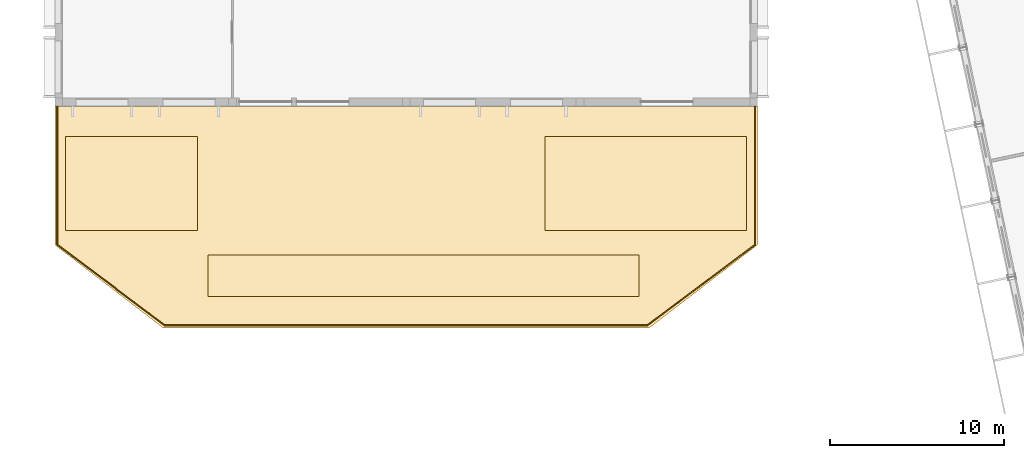
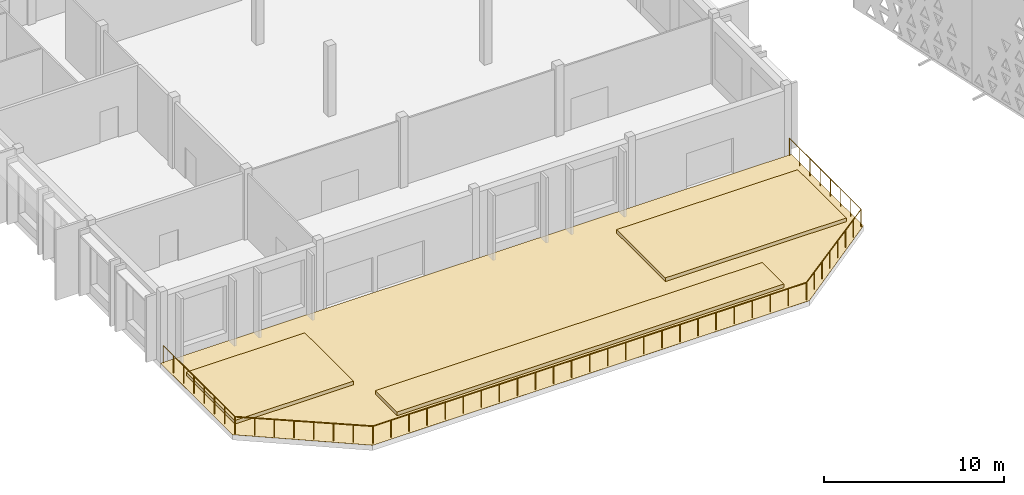
# One storey, part 184 of 196: 4 coverings, 1 railing.
"""IFC4 building model written with IfcOpenShell, lengths in metres."""

from ifc_helpers import new_model, si_unit, direction, frame, origin, origin_2d, place, context, subcontext, project, spatial, polyline, circle, outline, extrude, material, layer, layer_set, type_object, element, save


model = new_model("IFC4")

# Units and contexts
model_context = context("Model", 3, precision=1e-05, world=origin(), true_north=direction((0.0, 1.0)))
body_context = subcontext(model_context, "Body", "Model", "MODEL_VIEW")
ifc_project = project(units=[si_unit("LENGTHUNIT", "METRE"), si_unit("AREAUNIT", "SQUARE_METRE"), si_unit("VOLUMEUNIT", "CUBIC_METRE"), si_unit("PLANEANGLEUNIT", "RADIAN"), si_unit("MASSUNIT", "GRAM", prefix="KILO")], contexts=[model_context])

# Site, building, storey
site_placement = place(None, origin())
site = spatial("IfcSite", under=ifc_project, at=site_placement, CompositionType="ELEMENT")
building_placement = place(site_placement, origin())
building = spatial("IfcBuilding", under=site, at=building_placement, Name="Okhra Congress Centre", CompositionType="ELEMENT")
storey_placement = place(building_placement, frame((0.0, 0.0, 12.0)))
storey = spatial("IfcBuildingStorey", under=building, at=storey_placement, Name="L02", CompositionType="ELEMENT", Elevation=12.0)

# Coverings
ifc_material_1 = material(Name="Drainage mat, filter fleece, 150 mm lightweight substrate with sedum and herb planting")
ifc_layer_1 = layer(ifc_material_1, 0.25)
ifc_layer_set_1 = layer_set([ifc_layer_1], Name="Green roof planting bed 250")
covering_type_1 = type_object("IfcCoveringType", Name="Green roof planting bed 250", PredefinedType="USERDEFINED", material=ifc_layer_set_1)
covering_1_placement = place(storey_placement, frame((0.0, 0.0, 0.006103515625)))
element("IfcCovering", 1, at=covering_1_placement, inside=storey, type_object=covering_type_1, Name="Green roof planting bed", ObjectType="GREEN ROOF", PredefinedType="USERDEFINED", context=body_context, shape_type="SweptSolid", body=[
    extrude(outline(polyline([(6.39990234375, 36.60009765625), (14.0, 36.60009765625), (14.0, 42.0), (6.39990234375, 42.0), (6.39990234375, 36.60009765625)])), origin(), (0.0, 0.0, 1.0), 0.25),
])
covering_2_placement = place(storey_placement, frame((0.0, 0.0, 0.006103515625)))
element("IfcCovering", 2, at=covering_2_placement, inside=storey, type_object=covering_type_1, Name="Green roof planting bed", ObjectType="GREEN ROOF", PredefinedType="USERDEFINED", context=body_context, shape_type="SweptSolid", body=[
    extrude(outline(polyline([(34.0, 36.60009765625), (45.60009765625, 36.60009765625), (45.60009765625, 42.0), (34.0, 42.0), (34.0, 36.60009765625)])), origin(), (0.0, 0.0, 1.0), 0.25),
])
covering_3_placement = place(storey_placement, frame((0.0, 0.0, 0.006103515625)))
element("IfcCovering", 3, at=covering_3_placement, inside=storey, type_object=covering_type_1, Name="Green roof planting bed", ObjectType="GREEN ROOF", PredefinedType="USERDEFINED", context=body_context, shape_type="SweptSolid", body=[
    extrude(outline(polyline([(14.60009765625, 32.800048828125), (39.39990234375, 32.800048828125), (39.39990234375, 35.199951171875), (14.60009765625, 35.199951171875), (14.60009765625, 32.800048828125)])), origin(), (0.0, 0.0, 1.0), 0.25),
])
ifc_material_2 = material(Name="Root-resistant bituminous waterproofing membrane, two layers")
ifc_layer_2 = layer(ifc_material_2, 0.006103515625)
ifc_layer_set_2 = layer_set([ifc_layer_2], Name="Roof waterproofing membrane 6")
covering_type_2 = type_object("IfcCoveringType", Name="Roof waterproofing membrane 6", PredefinedType="MEMBRANE", material=ifc_layer_set_2)
covering_4_placement = place(storey_placement, origin())
element("IfcCovering", 4, at=covering_4_placement, inside=storey, type_object=covering_type_2, Name="Roof waterproofing membrane", PredefinedType="MEMBRANE", context=body_context, shape_type="SweptSolid", body=[
    extrude(outline(polyline([(5.77490234375, 35.77490234375), (12.0, 31.0), (40.0, 31.0), (46.22509765625, 35.77490234375), (46.22509765625, 43.77490234375), (5.77490234375, 43.77490234375), (5.77490234375, 35.77490234375)])), origin(), (0.0, 0.0, 1.0), 0.006103515625),
])

# Railing
ifc_material_3 = material(Name="Painted steel tube guard with vertical steel balusters", Category="steel")
railing_type = type_object("IfcRailingType", Name="Steel guard 1200", PredefinedType="GUARDRAIL", material=ifc_material_3)
railing_placement = place(storey_placement, frame((5.925048828125, 43.72509765625, 0.0)))
element("IfcRailing", 5, at=railing_placement, inside=storey, type_object=railing_type, Name="Terrace guard with prow", PredefinedType="GUARDRAIL", context=body_context, shape_type="SweptSolid", body=[
    extrude(circle(Radius=0.02392578125, at=origin_2d()), frame((0.0, 0.0, 1.17578125), z_axis=(0.0, -1.0, 0.0), x_axis=(1.0, 0.0, 0.0)), (0.0, 0.0, 1.0), 7.9501953125),
    extrude(circle(Radius=0.02392578125, at=origin_2d()), frame((0.0, -7.9501953125, 1.17578125), z_axis=(0.800390959275, -0.599478366841, 0.0), x_axis=(0.599478366841, 0.800390959275, 0.0)), (0.0, 0.0, 1.0), 7.715087890625),
    extrude(circle(Radius=0.02392578125, at=origin_2d()), frame((6.175048828125, -12.5751953125, 1.17578125), z_axis=(1.0, 0.0, 0.0), x_axis=(0.0, 1.0, 0.0)), (0.0, 0.0, 1.0), 27.7998046875),
    extrude(circle(Radius=0.02392578125, at=origin_2d()), frame((33.974853515625, -12.5751953125, 1.17578125), z_axis=(0.800390959275, 0.599478366841, 0.0), x_axis=(-0.599478366841, 0.800390959275, 0.0)), (0.0, 0.0, 1.0), 7.715087890625),
    extrude(circle(Radius=0.02392578125, at=origin_2d()), frame((40.14990234375, -7.9501953125, 1.17578125), z_axis=(0.0, 1.0, 0.0), x_axis=(-1.0, 0.0, 0.0)), (0.0, 0.0, 1.0), 7.9501953125),
    extrude(circle(Radius=0.02099609375, at=origin_2d()), origin(), (0.0, 0.0, 1.0), 1.15185546875),
    extrude(circle(Radius=0.02099609375, at=origin_2d()), frame((0.0, -1.1357421875, 0.0)), (0.0, 0.0, 1.0), 1.15185546875),
    extrude(circle(Radius=0.02099609375, at=origin_2d()), frame((0.0, -2.271484375, 0.0)), (0.0, 0.0, 1.0), 1.15185546875),
    extrude(circle(Radius=0.02099609375, at=origin_2d()), frame((0.0, -3.4072265625, 0.0)), (0.0, 0.0, 1.0), 1.15185546875),
    extrude(circle(Radius=0.02099609375, at=origin_2d()), frame((0.0, -4.54296875, 0.0)), (0.0, 0.0, 1.0), 1.15185546875),
    extrude(circle(Radius=0.02099609375, at=origin_2d()), frame((0.0, -5.6787109375, 0.0)), (0.0, 0.0, 1.0), 1.15185546875),
    extrude(circle(Radius=0.02099609375, at=origin_2d()), frame((0.0, -6.814453125, 0.0)), (0.0, 0.0, 1.0), 1.15185546875),
    extrude(circle(Radius=0.02099609375, at=origin_2d()), frame((0.0, -7.9501953125, 0.0)), (0.0, 0.0, 1.0), 1.15185546875),
    extrude(circle(Radius=0.02099609375, at=origin_2d()), frame((0.882080078125, -8.61083984375, 0.0)), (0.0, 0.0, 1.0), 1.15185546875),
    extrude(circle(Radius=0.02099609375, at=origin_2d()), frame((1.764404296875, -9.271728515625, 0.0)), (0.0, 0.0, 1.0), 1.15185546875),
    extrude(circle(Radius=0.02099609375, at=origin_2d()), frame((2.646484375, -9.932373046875, 0.0)), (0.0, 0.0, 1.0), 1.15185546875),
    extrude(circle(Radius=0.02099609375, at=origin_2d()), frame((3.528564453125, -10.593017578125, 0.0)), (0.0, 0.0, 1.0), 1.15185546875),
    extrude(circle(Radius=0.02099609375, at=origin_2d()), frame((4.41064453125, -11.253662109375, 0.0)), (0.0, 0.0, 1.0), 1.15185546875),
    extrude(circle(Radius=0.02099609375, at=origin_2d()), frame((5.29296875, -11.91455078125, 0.0)), (0.0, 0.0, 1.0), 1.15185546875),
    extrude(circle(Radius=0.02099609375, at=origin_2d()), frame((6.175048828125, -12.5751953125, 0.0)), (0.0, 0.0, 1.0), 1.15185546875),
    extrude(circle(Radius=0.02099609375, at=origin_2d()), frame((7.33349609375, -12.5751953125, 0.0)), (0.0, 0.0, 1.0), 1.15185546875),
    extrude(circle(Radius=0.02099609375, at=origin_2d()), frame((8.49169921875, -12.5751953125, 0.0)), (0.0, 0.0, 1.0), 1.15185546875),
    extrude(circle(Radius=0.02099609375, at=origin_2d()), frame((9.64990234375, -12.5751953125, 0.0)), (0.0, 0.0, 1.0), 1.15185546875),
    extrude(circle(Radius=0.02099609375, at=origin_2d()), frame((10.808349609375, -12.5751953125, 0.0)), (0.0, 0.0, 1.0), 1.15185546875),
    extrude(circle(Radius=0.02099609375, at=origin_2d()), frame((11.966796875, -12.5751953125, 0.0)), (0.0, 0.0, 1.0), 1.15185546875),
    extrude(circle(Radius=0.02099609375, at=origin_2d()), frame((13.125, -12.5751953125, 0.0)), (0.0, 0.0, 1.0), 1.15185546875),
    extrude(circle(Radius=0.02099609375, at=origin_2d()), frame((14.283203125, -12.5751953125, 0.0)), (0.0, 0.0, 1.0), 1.15185546875),
    extrude(circle(Radius=0.02099609375, at=origin_2d()), frame((15.441650390625, -12.5751953125, 0.0)), (0.0, 0.0, 1.0), 1.15185546875),
    extrude(circle(Radius=0.02099609375, at=origin_2d()), frame((16.60009765625, -12.5751953125, 0.0)), (0.0, 0.0, 1.0), 1.15185546875),
    extrude(circle(Radius=0.02099609375, at=origin_2d()), frame((17.75830078125, -12.5751953125, 0.0)), (0.0, 0.0, 1.0), 1.15185546875),
    extrude(circle(Radius=0.02099609375, at=origin_2d()), frame((18.91650390625, -12.5751953125, 0.0)), (0.0, 0.0, 1.0), 1.15185546875),
    extrude(circle(Radius=0.02099609375, at=origin_2d()), frame((20.074951171875, -12.5751953125, 0.0)), (0.0, 0.0, 1.0), 1.15185546875),
    extrude(circle(Radius=0.02099609375, at=origin_2d()), frame((21.2333984375, -12.5751953125, 0.0)), (0.0, 0.0, 1.0), 1.15185546875),
    extrude(circle(Radius=0.02099609375, at=origin_2d()), frame((22.3916015625, -12.5751953125, 0.0)), (0.0, 0.0, 1.0), 1.15185546875),
    extrude(circle(Radius=0.02099609375, at=origin_2d()), frame((23.5498046875, -12.5751953125, 0.0)), (0.0, 0.0, 1.0), 1.15185546875),
    extrude(circle(Radius=0.02099609375, at=origin_2d()), frame((24.708251953125, -12.5751953125, 0.0)), (0.0, 0.0, 1.0), 1.15185546875),
    extrude(circle(Radius=0.02099609375, at=origin_2d()), frame((25.86669921875, -12.5751953125, 0.0)), (0.0, 0.0, 1.0), 1.15185546875),
    extrude(circle(Radius=0.02099609375, at=origin_2d()), frame((27.02490234375, -12.5751953125, 0.0)), (0.0, 0.0, 1.0), 1.15185546875),
    extrude(circle(Radius=0.02099609375, at=origin_2d()), frame((28.18310546875, -12.5751953125, 0.0)), (0.0, 0.0, 1.0), 1.15185546875),
    extrude(circle(Radius=0.02099609375, at=origin_2d()), frame((29.341552734375, -12.5751953125, 0.0)), (0.0, 0.0, 1.0), 1.15185546875),
    extrude(circle(Radius=0.02099609375, at=origin_2d()), frame((30.5, -12.5751953125, 0.0)), (0.0, 0.0, 1.0), 1.15185546875),
    extrude(circle(Radius=0.02099609375, at=origin_2d()), frame((31.658203125, -12.5751953125, 0.0)), (0.0, 0.0, 1.0), 1.15185546875),
    extrude(circle(Radius=0.02099609375, at=origin_2d()), frame((32.81640625, -12.5751953125, 0.0)), (0.0, 0.0, 1.0), 1.15185546875),
    extrude(circle(Radius=0.02099609375, at=origin_2d()), frame((33.974853515625, -12.5751953125, 0.0)), (0.0, 0.0, 1.0), 1.15185546875),
    extrude(circle(Radius=0.02099609375, at=origin_2d()), frame((34.85693359375, -11.91455078125, 0.0)), (0.0, 0.0, 1.0), 1.15185546875),
    extrude(circle(Radius=0.02099609375, at=origin_2d()), frame((35.7392578125, -11.253662109375, 0.0)), (0.0, 0.0, 1.0), 1.15185546875),
    extrude(circle(Radius=0.02099609375, at=origin_2d()), frame((36.621337890625, -10.593017578125, 0.0)), (0.0, 0.0, 1.0), 1.15185546875),
    extrude(circle(Radius=0.02099609375, at=origin_2d()), frame((37.50341796875, -9.932373046875, 0.0)), (0.0, 0.0, 1.0), 1.15185546875),
    extrude(circle(Radius=0.02099609375, at=origin_2d()), frame((38.385498046875, -9.271728515625, 0.0)), (0.0, 0.0, 1.0), 1.15185546875),
    extrude(circle(Radius=0.02099609375, at=origin_2d()), frame((39.267822265625, -8.61083984375, 0.0)), (0.0, 0.0, 1.0), 1.15185546875),
    extrude(circle(Radius=0.02099609375, at=origin_2d()), frame((40.14990234375, -7.9501953125, 0.0)), (0.0, 0.0, 1.0), 1.15185546875),
    extrude(circle(Radius=0.02099609375, at=origin_2d()), frame((40.14990234375, -6.814453125, 0.0)), (0.0, 0.0, 1.0), 1.15185546875),
    extrude(circle(Radius=0.02099609375, at=origin_2d()), frame((40.14990234375, -5.6787109375, 0.0)), (0.0, 0.0, 1.0), 1.15185546875),
    extrude(circle(Radius=0.02099609375, at=origin_2d()), frame((40.14990234375, -4.54296875, 0.0)), (0.0, 0.0, 1.0), 1.15185546875),
    extrude(circle(Radius=0.02099609375, at=origin_2d()), frame((40.14990234375, -3.4072265625, 0.0)), (0.0, 0.0, 1.0), 1.15185546875),
    extrude(circle(Radius=0.02099609375, at=origin_2d()), frame((40.14990234375, -2.271484375, 0.0)), (0.0, 0.0, 1.0), 1.15185546875),
    extrude(circle(Radius=0.02099609375, at=origin_2d()), frame((40.14990234375, -1.1357421875, 0.0)), (0.0, 0.0, 1.0), 1.15185546875),
    extrude(circle(Radius=0.02099609375, at=origin_2d()), frame((40.14990234375, 0.0, 0.0)), (0.0, 0.0, 1.0), 1.15185546875),
])

save(model, "model.ifc")
